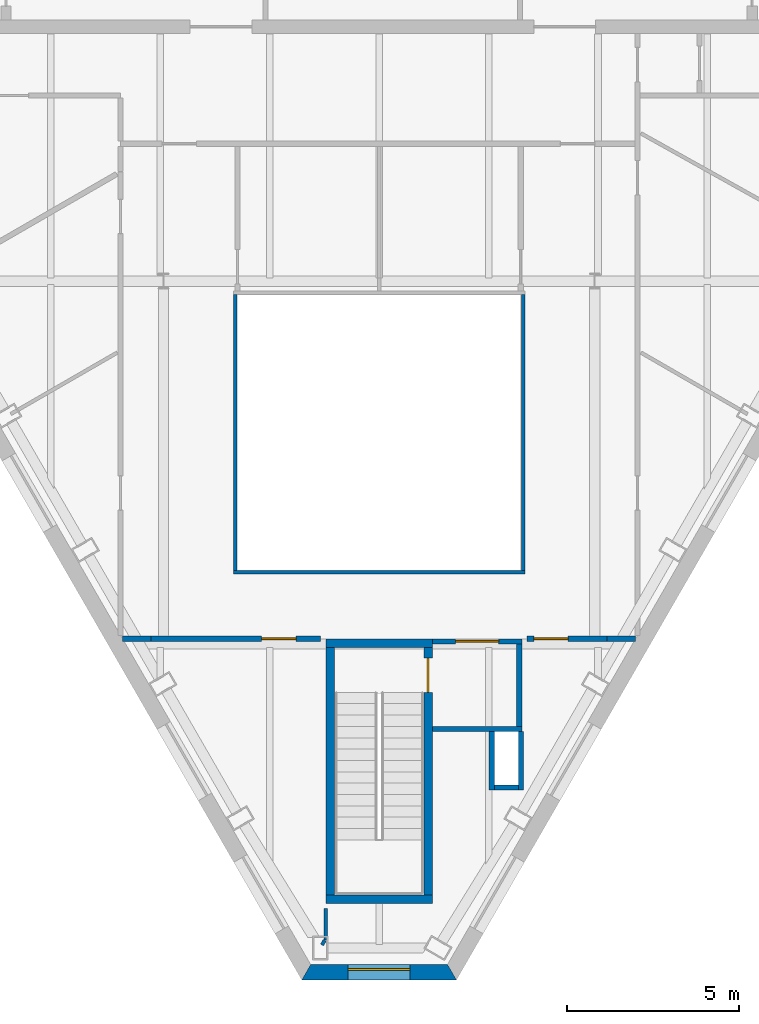
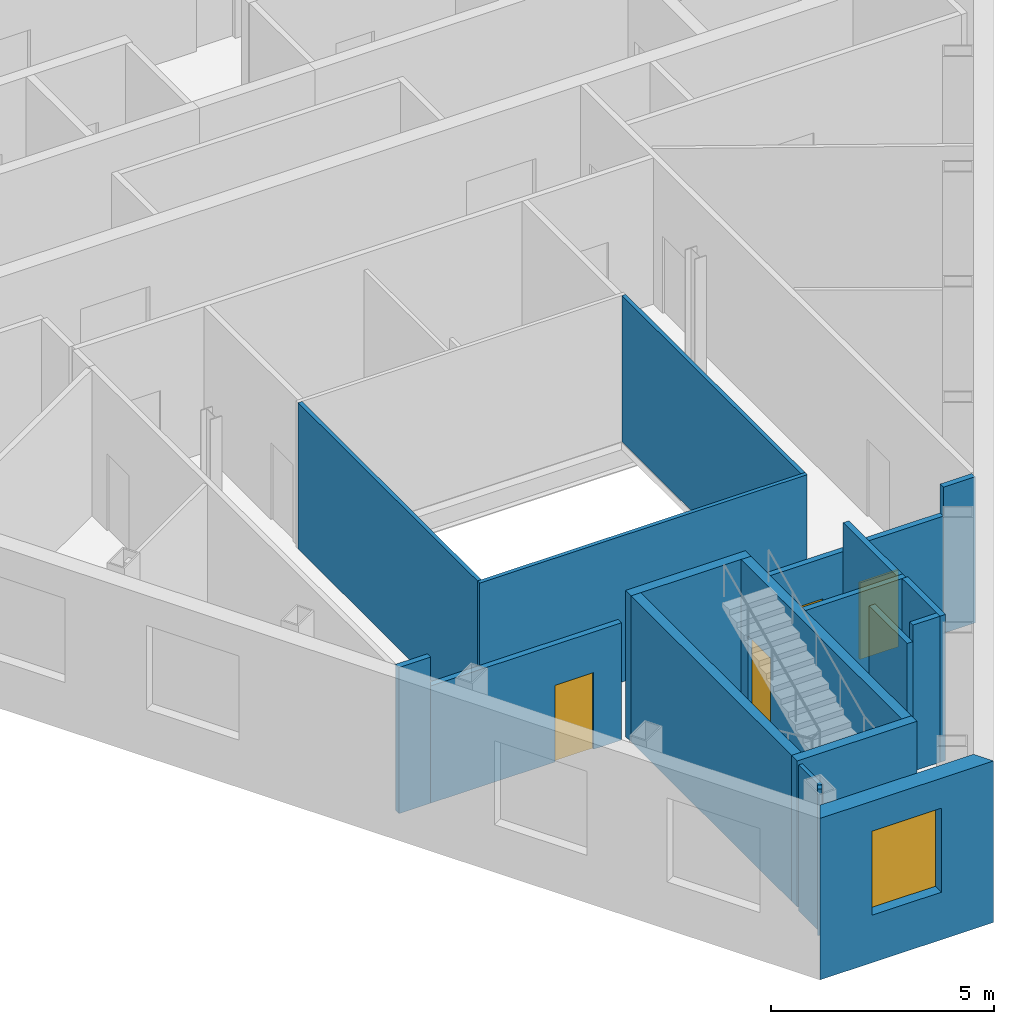
# One storey, part 4 of 11: 20 walls, 4 doors, 1 window, 5 openings.
"""IFC4 building model written with IfcOpenShell, lengths in metres."""

from ifc_helpers import new_model, si_unit, direction, frame, frame_2d, origin, place, context, subcontext, project, spatial, polyline, rectangle, outline, extrude, material, layer, layer_set, type_object, element, fill, save


model = new_model("IFC4")

# Units and contexts
model_context = context("Model", 3, precision=1e-05, world=origin(), true_north=direction((0.0, 1.0)))
body_context = subcontext(model_context, "Body", "Model", "MODEL_VIEW")
ifc_project = project(units=[si_unit("LENGTHUNIT", "METRE"), si_unit("AREAUNIT", "SQUARE_METRE"), si_unit("VOLUMEUNIT", "CUBIC_METRE"), si_unit("PLANEANGLEUNIT", "RADIAN"), si_unit("MASSUNIT", "GRAM", prefix="KILO")], contexts=[model_context])

# Site, building, storey
site_placement = place(None, origin())
site = spatial("IfcSite", under=ifc_project, at=site_placement, CompositionType="ELEMENT")
building_placement = place(site_placement, origin())
building = spatial("IfcBuilding", under=site, at=building_placement, Name="Njiva Tower", CompositionType="ELEMENT")
storey_placement = place(building_placement, frame((0.0, 0.0, 316.8)))
storey = spatial("IfcBuildingStorey", under=building, at=storey_placement, Name="L72", CompositionType="ELEMENT", Elevation=316.8)

# Walls
ifc_material_1 = material(Name="Gypsum board on steel studs", Category="gypsum")
ifc_layer_1 = layer(ifc_material_1, 0.1)
ifc_layer_set_1 = layer_set([ifc_layer_1], Name="Gypsum board on steel studs")
wall_type_1 = type_object("IfcWallType", Name="WT20 Gypsum partition 100", PredefinedType="PARTITIONING", material=ifc_layer_set_1)
wall_1_placement = place(storey_placement, frame((-1.661, -22.506, 0.0), z_axis=(0.0, 0.0, 1.0), x_axis=(0.501036270542, 0.865426285481, 0.0)))
element("IfcWall", 1, at=wall_1_placement, inside=storey, type_object=wall_type_1, Name="Partition S24-P015", PredefinedType="PARTITIONING", context=body_context, shape_type="SweptSolid", body=[
    extrude(rectangle(XDim=0.1537, YDim=0.1, at=frame_2d((0.0768, 0.0))), origin(), (0.0, 0.0, 1.0), 4.0),
])
wall_2_placement = place(storey_placement, frame((-1.55, -22.364, 0.0), z_axis=(0.0, 0.0, 1.0), x_axis=(0.0, 1.0, 0.0)))
element("IfcWall", 2, at=wall_2_placement, inside=storey, type_object=wall_type_1, Name="Partition S24-P016", PredefinedType="PARTITIONING", context=body_context, shape_type="SweptSolid", body=[
    extrude(rectangle(XDim=0.914, YDim=0.1, at=frame_2d((0.457, 0.0))), origin(), (0.0, 0.0, 1.0), 4.0),
])
ifc_layer_2 = layer(ifc_material_1, 0.15)
ifc_layer_set_2 = layer_set([ifc_layer_2], Name="Gypsum board on steel studs")
wall_type_2 = type_object("IfcWallType", Name="WT21 Compartment wall 150", PredefinedType="PARTITIONING", material=ifc_layer_set_2)
wall_3_placement = place(storey_placement, frame((-7.461, -13.6, 0.0), z_axis=(0.0, 0.0, 1.0), x_axis=(1.0, 0.0, 0.0)))
element("IfcWall", 3, at=wall_3_placement, inside=storey, type_object=wall_type_2, Name="Partition S24-P013", PredefinedType="PARTITIONING", context=body_context, shape_type="SweptSolid", body=[
    extrude(rectangle(XDim=0.826, YDim=0.15, at=frame_2d((0.413, 0.0))), origin(), (0.0, 0.0, 1.0), 4.0),
])

# Wall, opening, door
wall_4_placement = place(storey_placement, frame((-6.635, -13.6, 0.0), z_axis=(0.0, 0.0, 1.0), x_axis=(1.0, 0.0, 0.0)))
wall_4 = element("IfcWall", 4, at=wall_4_placement, inside=storey, type_object=wall_type_2, Name="Partition S24-P013A", PredefinedType="PARTITIONING", context=body_context, shape_type="SweptSolid", body=[
    extrude(rectangle(XDim=4.935, YDim=0.15, at=frame_2d((2.4675, 0.0))), origin(), (0.0, 0.0, 1.0), 3.21),
])
opening_1_placement = place(wall_4_placement, frame((3.219, 0.0, 0.0)))
opening_1 = element("IfcOpeningElement", 5, at=opening_1_placement, cuts=wall_4, Name="Opening S24-D009", PredefinedType="OPENING", context=body_context, shape_type="SweptSolid", body=[
    extrude(rectangle(XDim=1.0, YDim=2.1, at=frame_2d((0.5, 1.05))), frame((0.0, 0.085, 0.0), z_axis=(0.0, -1.0, 0.0), x_axis=(1.0, 0.0, 0.0)), (0.0, 0.0, 1.0), 0.17),
])
ifc_material_2 = material(Name="Steel fire door set", Category="steel")
door_type_1 = type_object("IfcDoorType", Name="D37 Fire door 1000x2100", OperationType="SINGLE_SWING_LEFT", PredefinedType="DOOR", material=ifc_material_2)
door_1_placement = place(opening_1_placement, origin())
door_1 = element("IfcDoor", 6, at=door_1_placement, inside=storey, type_object=door_type_1, Name="Door S24-D009", OperationType="SINGLE_SWING_RIGHT", OverallHeight=2.1, OverallWidth=1.0, PredefinedType="DOOR", context=body_context, shape_type="SweptSolid", body=[
    extrude(rectangle(XDim=1.0, YDim=2.1, at=frame_2d((0.5, 1.05))), frame((0.0, 0.025, 0.0), z_axis=(0.0, -1.0, 0.0), x_axis=(1.0, 0.0, 0.0)), (0.0, 0.0, 1.0), 0.05),
])
fill(opening_1, door_1)

wall_5_placement = place(storey_placement, frame((4.3, -13.6, 0.0), z_axis=(0.0, 0.0, 1.0), x_axis=(1.0, 0.0, 0.0)))
wall_5 = element("IfcWall", 7, at=wall_5_placement, inside=storey, type_object=wall_type_2, Name="Partition S24-P019", PredefinedType="PARTITIONING", context=body_context, shape_type="SweptSolid", body=[
    extrude(rectangle(XDim=2.335, YDim=0.15, at=frame_2d((1.1675, 0.0))), origin(), (0.0, 0.0, 1.0), 3.21),
])
opening_2_placement = place(wall_5_placement, frame((0.2, 0.0, 0.0)))
opening_2 = element("IfcOpeningElement", 8, at=opening_2_placement, cuts=wall_5, Name="Opening S24-D012", PredefinedType="OPENING", context=body_context, shape_type="SweptSolid", body=[
    extrude(rectangle(XDim=1.0, YDim=2.1, at=frame_2d((0.5, 1.05))), frame((0.0, 0.085, 0.0), z_axis=(0.0, -1.0, 0.0), x_axis=(1.0, 0.0, 0.0)), (0.0, 0.0, 1.0), 0.17),
])
door_2_placement = place(opening_2_placement, origin())
door_2 = element("IfcDoor", 9, at=door_2_placement, inside=storey, type_object=door_type_1, Name="Door S24-D012", OperationType="SINGLE_SWING_LEFT", OverallHeight=2.1, OverallWidth=1.0, PredefinedType="DOOR", context=body_context, shape_type="SweptSolid", body=[
    extrude(rectangle(XDim=1.0, YDim=2.1, at=frame_2d((0.5, 1.05))), frame((0.0, 0.025, 0.0), z_axis=(0.0, -1.0, 0.0), x_axis=(1.0, 0.0, 0.0)), (0.0, 0.0, 1.0), 0.05),
])
fill(opening_2, door_2)

# Walls
wall_6_placement = place(storey_placement, frame((6.635, -13.6, 0.0), z_axis=(0.0, 0.0, 1.0), x_axis=(1.0, 0.0, 0.0)))
element("IfcWall", 10, at=wall_6_placement, inside=storey, type_object=wall_type_2, Name="Partition S24-P019A", PredefinedType="PARTITIONING", context=body_context, shape_type="SweptSolid", body=[
    extrude(rectangle(XDim=0.826, YDim=0.15, at=frame_2d((0.413, 0.0))), origin(), (0.0, 0.0, 1.0), 4.0),
])
ifc_material_3 = material(Name="Blockwork", Category="masonry")
ifc_layer_3 = layer(ifc_material_3, 0.15)
ifc_layer_set_3 = layer_set([ifc_layer_3], Name="Blockwork")
wall_type_3 = type_object("IfcWallType", Name="WT4 Stair partition 150", PredefinedType="PARTITIONING", material=ifc_layer_set_3)
wall_7_placement = place(storey_placement, frame((1.55, -16.225, 0.0), z_axis=(0.0, 0.0, 1.0), x_axis=(1.0, 0.0, 0.0)))
element("IfcWall", 11, at=wall_7_placement, inside=storey, type_object=wall_type_3, Name="Stair C vestibule wall south", PredefinedType="PARTITIONING", context=body_context, shape_type="SweptSolid", body=[
    extrude(rectangle(XDim=2.6, YDim=0.15, at=frame_2d((1.3, 0.0))), origin(), (0.0, 0.0, 1.0), 4.0),
])
wall_8_placement = place(storey_placement, frame((4.075, -16.15, 0.0), z_axis=(0.0, 0.0, 1.0), x_axis=(0.0, 1.0, 0.0)))
element("IfcWall", 12, at=wall_8_placement, inside=storey, type_object=wall_type_3, Name="Stair C vestibule wall east", PredefinedType="PARTITIONING", context=body_context, shape_type="SweptSolid", body=[
    extrude(rectangle(XDim=2.4, YDim=0.15, at=frame_2d((1.2, 0.0))), origin(), (0.0, 0.0, 1.0), 4.0),
])

# Wall, opening, door
wall_9_placement = place(storey_placement, frame((1.55, -13.675, 0.0), z_axis=(0.0, 0.0, 1.0), x_axis=(1.0, 0.0, 0.0)))
wall_9 = element("IfcWall", 13, at=wall_9_placement, inside=storey, type_object=wall_type_3, Name="Stair C vestibule wall north", PredefinedType="PARTITIONING", context=body_context, shape_type="SweptSolid", body=[
    extrude(rectangle(XDim=2.6, YDim=0.15, at=frame_2d((1.3, 0.0))), origin(), (0.0, 0.0, 1.0), 3.21),
])
opening_3_placement = place(wall_9_placement, frame((0.675, 0.0, 0.0)))
opening_3 = element("IfcOpeningElement", 14, at=opening_3_placement, cuts=wall_9, Name="Opening S24-D928", PredefinedType="OPENING", context=body_context, shape_type="SweptSolid", body=[
    extrude(rectangle(XDim=1.25, YDim=2.1, at=frame_2d((0.625, 1.05))), frame((0.0, 0.085, 0.0), z_axis=(0.0, -1.0, 0.0), x_axis=(1.0, 0.0, 0.0)), (0.0, 0.0, 1.0), 0.17),
])
ifc_material_4 = material(Name="Glazed steel fire door", Category="steel")
door_type_2 = type_object("IfcDoorType", Name="D8 Vestibule corridor door 1250x2100 glazed", OperationType="SINGLE_SWING_LEFT", PredefinedType="DOOR", material=ifc_material_4)
door_3_placement = place(opening_3_placement, origin())
door_3 = element("IfcDoor", 15, at=door_3_placement, inside=storey, type_object=door_type_2, Name="Stair vestibule corridor door", OperationType="SINGLE_SWING_RIGHT", OverallHeight=2.1, OverallWidth=1.25, PredefinedType="DOOR", context=body_context, shape_type="SweptSolid", body=[
    extrude(rectangle(XDim=1.25, YDim=2.1, at=frame_2d((0.625, 1.05))), frame((0.0, 0.025, 0.0), z_axis=(0.0, -1.0, 0.0), x_axis=(1.0, 0.0, 0.0)), (0.0, 0.0, 1.0), 0.05),
])
fill(opening_3, door_3)

# Walls
wall_10_placement = place(storey_placement, frame((3.275, -18.0, 0.0), z_axis=(0.0, 0.0, 1.0), x_axis=(0.0, 1.0, 0.0)))
element("IfcWall", 16, at=wall_10_placement, inside=storey, type_object=wall_type_3, Name="Stair C pressurisation shaft wall", PredefinedType="PARTITIONING", context=body_context, shape_type="SweptSolid", body=[
    extrude(rectangle(XDim=1.7, YDim=0.15, at=frame_2d((0.85, 0.0))), origin(), (0.0, 0.0, 1.0), 3.55),
])
wall_11_placement = place(storey_placement, frame((3.35, -17.925, 0.0), z_axis=(0.0, 0.0, 1.0), x_axis=(1.0, 0.0, 0.0)))
element("IfcWall", 17, at=wall_11_placement, inside=storey, type_object=wall_type_3, Name="Stair C pressurisation shaft wall", PredefinedType="PARTITIONING", context=body_context, shape_type="SweptSolid", body=[
    extrude(rectangle(XDim=0.7, YDim=0.15, at=frame_2d((0.35, 0.0))), origin(), (0.0, 0.0, 1.0), 4.0),
])
wall_12_placement = place(storey_placement, frame((4.125, -18.0, 0.0), z_axis=(0.0, 0.0, 1.0), x_axis=(0.0, 1.0, 0.0)))
element("IfcWall", 18, at=wall_12_placement, inside=storey, type_object=wall_type_3, Name="Stair C pressurisation shaft wall", PredefinedType="PARTITIONING", context=body_context, shape_type="SweptSolid", body=[
    extrude(rectangle(XDim=1.7, YDim=0.15, at=frame_2d((0.85, 0.0))), origin(), (0.0, 0.0, 1.0), 4.0),
])
ifc_material_5 = material(Name="Concrete C40/50", Category="concrete")
ifc_layer_4 = layer(ifc_material_5, 0.25)
ifc_layer_set_4 = layer_set([ifc_layer_4], Name="Concrete C40/50")
wall_type_4 = type_object("IfcWallType", Name="WT9 Stair enclosure wall 250", PredefinedType="SHEAR", material=ifc_layer_set_4)
wall_13_placement = place(storey_placement, frame((-1.425, -21.05, 0.0), z_axis=(0.0, 0.0, 1.0), x_axis=(0.0, 1.0, 0.0)))
element("IfcWall", 19, at=wall_13_placement, inside=storey, type_object=wall_type_4, Name="Stair C wall west", PredefinedType="SHEAR", context=body_context, shape_type="SweptSolid", body=[
    extrude(rectangle(XDim=7.2, YDim=0.25, at=frame_2d((3.6, 0.0))), origin(), (0.0, 0.0, 1.0), 4.0),
])

# Wall, opening, door
wall_14_placement = place(storey_placement, frame((1.425, -21.05, 0.0), z_axis=(0.0, 0.0, 1.0), x_axis=(0.0, 1.0, 0.0)))
wall_14 = element("IfcWall", 20, at=wall_14_placement, inside=storey, type_object=wall_type_4, Name="Stair C wall east", PredefinedType="SHEAR", context=body_context, shape_type="SweptSolid", body=[
    extrude(rectangle(XDim=7.2, YDim=0.25, at=frame_2d((3.6, 0.0))), origin(), (0.0, 0.0, 1.0), 4.0),
])
opening_4_placement = place(wall_14_placement, frame((5.89, 0.0, 0.0)))
opening_4 = element("IfcOpeningElement", 21, at=opening_4_placement, cuts=wall_14, Name="Opening S24-D927", PredefinedType="OPENING", context=body_context, shape_type="SweptSolid", body=[
    extrude(rectangle(XDim=1.0, YDim=2.1, at=frame_2d((0.5, 1.05))), frame((0.0, 0.135, 0.0), z_axis=(0.0, -1.0, 0.0), x_axis=(1.0, 0.0, 0.0)), (0.0, 0.0, 1.0), 0.27),
])
door_type_3 = type_object("IfcDoorType", Name="D9 Stair vestibule door 1000x2100 glazed", OperationType="SINGLE_SWING_LEFT", PredefinedType="DOOR", material=ifc_material_4)
door_4_placement = place(opening_4_placement, origin())
door_4 = element("IfcDoor", 22, at=door_4_placement, inside=storey, type_object=door_type_3, Name="Stair C door", OperationType="SINGLE_SWING_LEFT", OverallHeight=2.1, OverallWidth=1.0, PredefinedType="DOOR", context=body_context, shape_type="SweptSolid", body=[
    extrude(rectangle(XDim=1.0, YDim=2.1, at=frame_2d((0.5, 1.05))), frame((0.0, 0.025, 0.0), z_axis=(0.0, -1.0, 0.0), x_axis=(1.0, 0.0, 0.0)), (0.0, 0.0, 1.0), 0.05),
])
fill(opening_4, door_4)

# Walls
for number, where, z_axis, x_axis, name in (
    (23, (-1.55, -21.175, 0.0), (0.0, 0.0, 1.0), (1.0, 0.0, 0.0), "Stair C wall south"),
    (24, (-1.55, -13.725, 0.0), (0.0, 0.0, 1.0), (1.0, 0.0, 0.0), "Stair C wall north"),
):
    element("IfcWall", number, at=place(storey_placement, frame(where, z_axis=z_axis, x_axis=x_axis)), inside=storey, type_object=wall_type_4, Name=name, PredefinedType="SHEAR", context=body_context, shape_type="SweptSolid", body=[
        extrude(rectangle(XDim=3.1, YDim=0.25, at=frame_2d((1.55, 0.0))), origin(), (0.0, 0.0, 1.0), 4.0),
    ])

# Wall, opening, window
ifc_material_6 = material(Name="Brick masonry, buff", Category="masonry")
ifc_layer_5 = layer(ifc_material_6, 0.45)
ifc_layer_set_5 = layer_set([ifc_layer_5], Name="Brick masonry, buff")
wall_type_5 = type_object("IfcWallType", Name="WT94 Brick pier and spandrel wall 450, buff", PredefinedType="SOLIDWALL", material=ifc_layer_set_5)
wall_15_placement = place(storey_placement, frame((-2.1201, -23.3006, -0.4), z_axis=(0.0, 0.0, 1.0), x_axis=(1.0, 0.0, 0.0)))
wall_15 = element("IfcWall", 25, at=wall_15_placement, inside=storey, type_object=wall_type_5, Name="Facade wall S", PredefinedType="SOLIDWALL", context=body_context, shape_type="SweptSolid", body=[
    extrude(outline(polyline([(-0.1299, -0.225), (4.3701, -0.225), (4.1103, 0.225), (0.1299, 0.225), (-0.1299, -0.225)])), origin(), (0.0, 0.0, 1.0), 4.42),
])
opening_5_placement = place(wall_15_placement, frame((1.2201, 0.0, 1.3)))
opening_5 = element("IfcOpeningElement", 26, at=opening_5_placement, cuts=wall_15, Name="Opening S24-W18", PredefinedType="OPENING", context=body_context, shape_type="SweptSolid", body=[
    extrude(rectangle(XDim=1.8, YDim=2.3, at=frame_2d((0.9, 1.15))), frame((0.0, 0.235, 0.0), z_axis=(0.0, -1.0, 0.0), x_axis=(1.0, 0.0, 0.0)), (0.0, 0.0, 1.0), 0.47),
])
ifc_material_7 = material(Name="Clear glazing in aluminium frame", Category="aluminium")
window_type = type_object("IfcWindowType", Name="W95 Deep-set window 1800x2300", PartitioningType="SINGLE_PANEL", PredefinedType="WINDOW", material=ifc_material_7)
window_placement = place(opening_5_placement, origin())
window = element("IfcWindow", 27, at=window_placement, inside=storey, type_object=window_type, Name="Window", OverallHeight=2.3, OverallWidth=1.8, PartitioningType="SINGLE_PANEL", PredefinedType="WINDOW", context=body_context, shape_type="SweptSolid", body=[
    extrude(rectangle(XDim=1.8, YDim=2.3, at=frame_2d((0.9, 1.15))), frame((0.0, 0.105, 0.0), z_axis=(0.0, -1.0, 0.0), x_axis=(1.0, 0.0, 0.0)), (0.0, 0.0, 1.0), 0.06),
])
fill(opening_5, window)

# Walls
ifc_material_8 = material(Name="Fire-resisting glazing EI 90", Category="glass")
ifc_layer_6 = layer(ifc_material_8, 0.1)
ifc_layer_set_6 = layer_set([ifc_layer_6], Name="Fire-resisting glazing EI 90")
wall_type_6 = type_object("IfcWallType", Name="WT95 Fire-resisting glazed screen EI 90", PredefinedType="PARTITIONING", material=ifc_layer_set_6)
wall_16_placement = place(storey_placement, frame((-4.24, -11.67, 0.0), z_axis=(0.0, 0.0, 1.0), x_axis=(1.0, 0.0, 0.0)))
element("IfcWall", 28, at=wall_16_placement, inside=storey, type_object=wall_type_6, Name="Atrium fire screen south", PredefinedType="PARTITIONING", context=body_context, shape_type="SweptSolid", body=[
    extrude(rectangle(XDim=8.48, YDim=0.1, at=frame_2d((4.24, 0.0))), origin(), (0.0, 0.0, 1.0), 4.0),
])
for number, where, z_axis, x_axis, name in (
    (29, (4.19, -11.62, 0.0), (0.0, 0.0, 1.0), (0.0, 1.0, 0.0), "Atrium fire screen east"),
    (30, (-4.19, -3.58, 0.0), (0.0, 0.0, 1.0), (0.0, -1.0, 0.0), "Atrium fire screen west"),
):
    element("IfcWall", number, at=place(storey_placement, frame(where, z_axis=z_axis, x_axis=x_axis)), inside=storey, type_object=wall_type_6, Name=name, PredefinedType="PARTITIONING", context=body_context, shape_type="SweptSolid", body=[
        extrude(rectangle(XDim=8.04, YDim=0.1, at=frame_2d((4.02, 0.0))), origin(), (0.0, 0.0, 1.0), 4.0),
    ])

save(model, "model.ifc")
